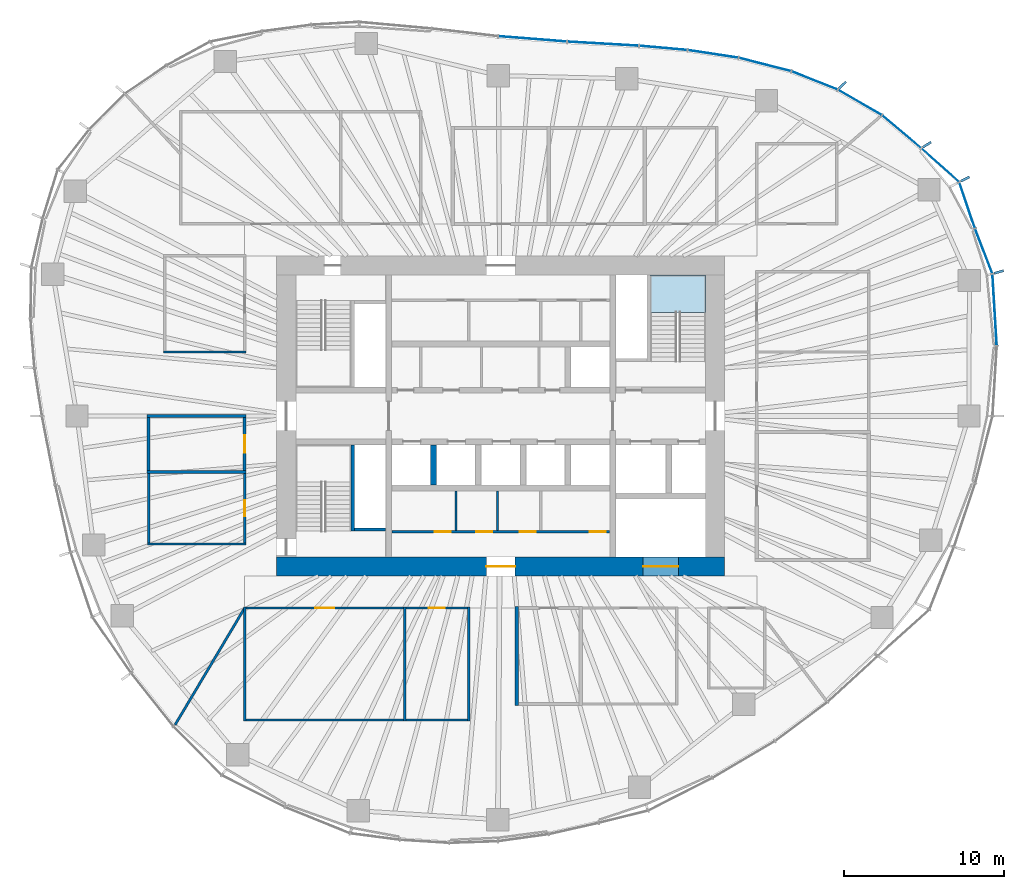
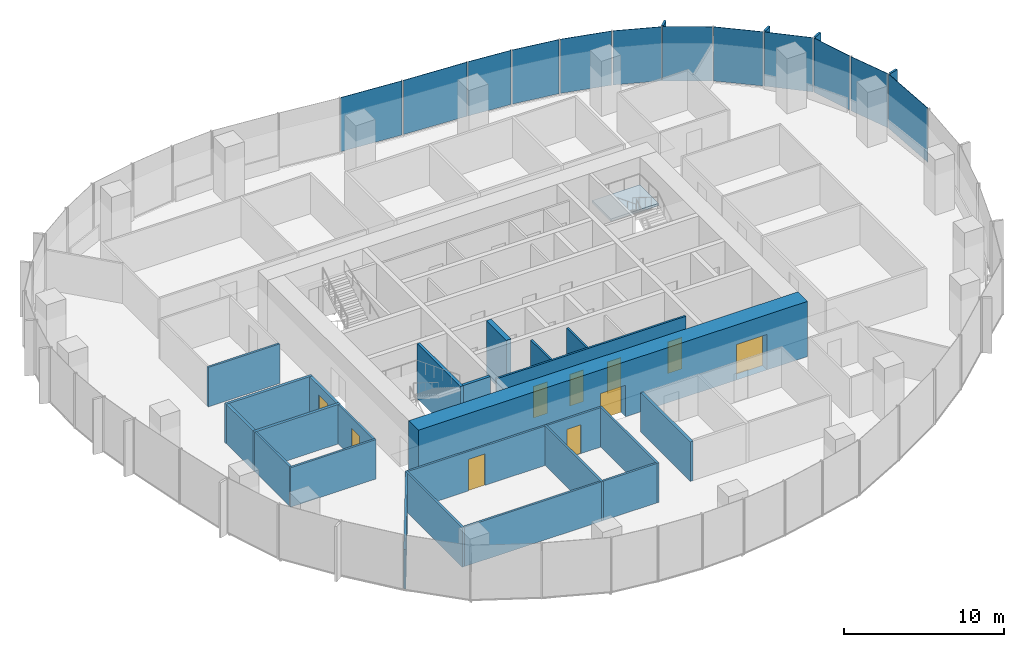
# One storey, part 8 of 18: 24 walls, 16 plates, 10 doors, 1 slab, 10 openings, 6 elements without a shape of their own.
"""IFC4 building model written with IfcOpenShell, lengths in metres."""

from ifc_helpers import new_model, si_unit, direction, frame, frame_2d, origin, origin_2d, place, context, subcontext, project, spatial, polyline, rectangle, outline, extrude, material, layer, layer_set, type_object, element, fill, aggregate, save


model = new_model("IFC4")

# Units and contexts
model_context = context("Model", 3, precision=1e-05, world=origin(), true_north=direction((0.0, 1.0)))
body_context = subcontext(model_context, "Body", "Model", "MODEL_VIEW")
ifc_project = project(units=[si_unit("LENGTHUNIT", "METRE"), si_unit("AREAUNIT", "SQUARE_METRE"), si_unit("VOLUMEUNIT", "CUBIC_METRE"), si_unit("PLANEANGLEUNIT", "RADIAN"), si_unit("MASSUNIT", "GRAM", prefix="KILO")], contexts=[model_context])

# Site, building, storey
site_placement = place(None, origin())
site = spatial("IfcSite", under=ifc_project, at=site_placement, CompositionType="ELEMENT")
building_placement = place(site_placement, origin())
building = spatial("IfcBuilding", under=site, at=building_placement, Name="Ghaith Harvest Tower", CompositionType="ELEMENT")
storey_placement = place(building_placement, frame((0.0, 0.0, 159.60009765625)))
storey = spatial("IfcBuildingStorey", under=building, at=storey_placement, Name="L34", CompositionType="ELEMENT", Elevation=159.60009765625)

# Curtain wall, plate
ifc_material_1 = material(Name="Black anodised aluminium and fritted glass", Category="aluminium")
curtain_wall_type = type_object("IfcCurtainWallType", Name="CW-L CURTAIN WALL", PredefinedType="NOTDEFINED", material=ifc_material_1)
curtain_wall_1_placement = place(storey_placement, origin())
curtain_wall_1 = element("IfcCurtainWall", 1, at=curtain_wall_1_placement, inside=storey, type_object=curtain_wall_type, Name="Curtain wall CW-L bay 01 L34", PredefinedType="NOTDEFINED")
ifc_material_2 = material(Name="Glass, dark solar-control fritted double glazed unit", Category="glass")
ifc_layer_1 = layer(ifc_material_2, 0.031982421875)
ifc_layer_set_1 = layer_set([ifc_layer_1], Name="CW-L VISION PANEL")
plate_type_1 = type_object("IfcPlateType", Name="CW-L VISION PANEL", PredefinedType="CURTAIN_PANEL", material=ifc_layer_set_1)
plate_1_placement = place(storey_placement, frame((30.863037109375, 6.63525390625, 0.079833984375), z_axis=(0.0, 0.0, 1.0), x_axis=(-0.060320650032, 0.998179051663, 0.0)))
plate_1 = element("IfcPlate", 2, at=plate_1_placement, type_object=plate_type_1, Name="CW-L glass unit 2 bay 01 L34", PredefinedType="CURTAIN_PANEL", context=body_context, shape_type="SweptSolid", body=[
    extrude(rectangle(XDim=4.419189453125, YDim=0.031982421875, at=origin_2d()), origin(), (0.0, 0.0, 1.0), 4.1201171875),
])
aggregate(curtain_wall_1, [plate_1])

# Curtain wall, plates
curtain_wall_2_placement = place(storey_placement, origin())
curtain_wall_2 = element("IfcCurtainWall", 3, at=curtain_wall_2_placement, inside=storey, type_object=curtain_wall_type, Name="Curtain wall CW-L bay 02 L34", PredefinedType="NOTDEFINED")
plate_2_placement = place(storey_placement, frame((30.180908203125, 10.29833984375, 0.079833984375), z_axis=(0.0, 0.0, 1.0), x_axis=(-0.359676824997, 0.933076943001, 0.0)))
plate_2 = element("IfcPlate", 4, at=plate_2_placement, type_object=plate_type_1, Name="CW-L glass unit 1 bay 02 L34", PredefinedType="CURTAIN_PANEL", context=body_context, shape_type="SweptSolid", body=[
    extrude(rectangle(XDim=2.95849609375, YDim=0.031982421875, at=origin_2d()), origin(), (0.0, 0.0, 1.0), 4.1201171875),
])
plate_3_placement = place(storey_placement, frame((29.142333984375, 13.163818359375, 0.079833984375), z_axis=(0.0, 0.0, 1.0), x_axis=(-0.321853304376, 0.946789549194, 0.0)))
plate_3 = element("IfcPlate", 5, at=plate_3_placement, type_object=plate_type_1, Name="CW-L glass unit 2 bay 02 L34", PredefinedType="CURTAIN_PANEL", context=body_context, shape_type="SweptSolid", body=[
    extrude(rectangle(XDim=2.978759765625, YDim=0.031982421875, at=origin_2d()), origin(), (0.0, 0.0, 1.0), 4.1201171875),
])
plate_4_placement = place(storey_placement, frame((27.46533203125, 15.668701171875, 0.079833984375), z_axis=(0.0, 0.0, 1.0), x_axis=(-0.746250544556, 0.665665174656, 0.0)))
plate_4 = element("IfcPlate", 6, at=plate_4_placement, type_object=plate_type_1, Name="CW-L glass unit 3 bay 02 L34", PredefinedType="CURTAIN_PANEL", context=body_context, shape_type="SweptSolid", body=[
    extrude(rectangle(XDim=3.094970703125, YDim=0.031982421875, at=origin_2d()), origin(), (0.0, 0.0, 1.0), 4.1201171875),
])
aggregate(curtain_wall_2, [plate_2, plate_3, plate_4])

curtain_wall_3_placement = place(storey_placement, origin())
curtain_wall_3 = element("IfcCurtainWall", 7, at=curtain_wall_3_placement, inside=storey, type_object=curtain_wall_type, Name="Curtain wall CW-L bay 03 L34", PredefinedType="NOTDEFINED")
plate_5_placement = place(storey_placement, frame((25.05126953125, 17.7587890625, 0.079833984375), z_axis=(0.0, 0.0, 1.0), x_axis=(-0.765473064857, 0.643467937801, 0.0)))
plate_5 = element("IfcPlate", 8, at=plate_5_placement, type_object=plate_type_1, Name="CW-L glass unit 1 bay 03 L34", PredefinedType="CURTAIN_PANEL", context=body_context, shape_type="SweptSolid", body=[
    extrude(rectangle(XDim=3.13232421875, YDim=0.031982421875, at=origin_2d()), origin(), (0.0, 0.0, 1.0), 4.1201171875),
])
plate_6_placement = place(storey_placement, frame((22.444091796875, 19.590576171875, 0.079833984375), z_axis=(0.0, 0.0, 1.0), x_axis=(-0.865232087993, 0.501371552751, 0.0)))
plate_6 = element("IfcPlate", 9, at=plate_6_placement, type_object=plate_type_1, Name="CW-L glass unit 2 bay 03 L34", PredefinedType="CURTAIN_PANEL", context=body_context, shape_type="SweptSolid", body=[
    extrude(rectangle(XDim=3.10498046875, YDim=0.031982421875, at=origin_2d()), origin(), (0.0, 0.0, 1.0), 4.1201171875),
])
plate_7_placement = place(storey_placement, frame((19.6142578125, 20.963623046875, 0.079833984375), z_axis=(0.0, 0.0, 1.0), x_axis=(-0.929876534019, 0.367871759558, 0.0)))
plate_7 = element("IfcPlate", 10, at=plate_7_placement, type_object=plate_type_1, Name="CW-L glass unit 3 bay 03 L34", PredefinedType="CURTAIN_PANEL", context=body_context, shape_type="SweptSolid", body=[
    extrude(rectangle(XDim=3.042724609375, YDim=0.031982421875, at=origin_2d()), origin(), (0.0, 0.0, 1.0), 4.1201171875),
])
aggregate(curtain_wall_3, [plate_5, plate_6, plate_7])

curtain_wall_4_placement = place(storey_placement, origin())
curtain_wall_4 = element("IfcCurtainWall", 11, at=curtain_wall_4_placement, inside=storey, type_object=curtain_wall_type, Name="Curtain wall CW-L bay 04 L34", PredefinedType="NOTDEFINED")
plate_8_placement = place(storey_placement, frame((16.513427734375, 21.958740234375, 0.079833984375), z_axis=(0.0, 0.0, 1.0), x_axis=(-0.96893110987, 0.247330758955, 0.0)))
plate_8 = element("IfcPlate", 12, at=plate_8_placement, type_object=plate_type_1, Name="CW-L glass unit 1 bay 04 L34", PredefinedType="CURTAIN_PANEL", context=body_context, shape_type="SweptSolid", body=[
    extrude(rectangle(XDim=3.3232421875, YDim=0.031982421875, at=origin_2d()), origin(), (0.0, 0.0, 1.0), 4.1201171875),
])
plate_9_placement = place(storey_placement, frame((13.2685546875, 22.621826171875, 0.079833984375), z_axis=(0.0, 0.0, 1.0), x_axis=(-0.988678736369, 0.150047846542, 0.0)))
plate_9 = element("IfcPlate", 13, at=plate_9_placement, type_object=plate_type_1, Name="CW-L glass unit 2 bay 04 L34", PredefinedType="CURTAIN_PANEL", context=body_context, shape_type="SweptSolid", body=[
    extrude(rectangle(XDim=3.14892578125, YDim=0.031982421875, at=origin_2d()), origin(), (0.0, 0.0, 1.0), 4.1201171875),
])
plate_10_placement = place(storey_placement, frame((10.15966796875, 22.9970703125, 0.079833984375), z_axis=(0.0, 0.0, 1.0), x_axis=(-0.996166190972, 0.087480969151, 0.0)))
plate_10 = element("IfcPlate", 14, at=plate_10_placement, type_object=plate_type_1, Name="CW-L glass unit 3 bay 04 L34", PredefinedType="CURTAIN_PANEL", context=body_context, shape_type="SweptSolid", body=[
    extrude(rectangle(XDim=2.957275390625, YDim=0.031982421875, at=origin_2d()), origin(), (0.0, 0.0, 1.0), 4.1201171875),
])
aggregate(curtain_wall_4, [plate_8, plate_9, plate_10])

curtain_wall_5_placement = place(storey_placement, origin())
curtain_wall_5 = element("IfcCurtainWall", 15, at=curtain_wall_5_placement, inside=storey, type_object=curtain_wall_type, Name="Curtain wall CW-L bay 05 L34", PredefinedType="NOTDEFINED")
plate_11_placement = place(storey_placement, frame((6.396728515625, 23.260498046875, 0.079833984375), z_axis=(0.0, 0.0, 1.0), x_axis=(-0.998320798751, 0.05792739233, 0.0)))
plate_11 = element("IfcPlate", 16, at=plate_11_placement, type_object=plate_type_1, Name="CW-L glass unit 1 bay 05 L34", PredefinedType="CURTAIN_PANEL", context=body_context, shape_type="SweptSolid", body=[
    extrude(rectangle(XDim=4.427734375, YDim=0.031982421875, at=origin_2d()), origin(), (0.0, 0.0, 1.0), 4.1201171875),
])
plate_12_placement = place(storey_placement, frame((1.9921875, 23.560302734375, 0.079833984375), z_axis=(0.0, 0.0, 1.0), x_axis=(-0.996925121312, 0.078360082291, 0.0)))
plate_12 = element("IfcPlate", 17, at=plate_12_placement, type_object=plate_type_1, Name="CW-L glass unit 2 bay 05 L34", PredefinedType="CURTAIN_PANEL", context=body_context, shape_type="SweptSolid", body=[
    extrude(rectangle(XDim=4.242431640625, YDim=0.031982421875, at=origin_2d()), origin(), (0.0, 0.0, 1.0), 4.1201171875),
])
aggregate(curtain_wall_5, [plate_11, plate_12])

# Stair, slab
ifc_material_3 = material(Name="Concrete C40/50, precast", Category="concrete")
stair_type = type_object("IfcStairType", Name="CORE STAIR 24R", PredefinedType="HALF_TURN_STAIR", material=ifc_material_3)
stair_placement = place(storey_placement, origin())
stair = element("IfcStair", 18, at=stair_placement, inside=storey, type_object=stair_type, Name="Stair ST2 L34", PredefinedType="HALF_TURN_STAIR")
ifc_material_4 = material(Name="Concrete C40/50, precast", Category="concrete")
ifc_layer_2 = layer(ifc_material_4, 0.179931640625)
ifc_layer_set_2 = layer_set([ifc_layer_2], Name="STAIR LANDING 180")
slab_type = type_object("IfcSlabType", Name="STAIR LANDING 180", PredefinedType="LANDING", material=ifc_layer_set_2)
slab_placement = place(storey_placement, frame((0.0, 0.0, 1.919921875)))
slab = element("IfcSlab", 19, at=slab_placement, type_object=slab_type, Name="ST2 landing 1", PredefinedType="LANDING", context=body_context, shape_type="SweptSolid", body=[
    extrude(outline(polyline([(12.800048828125, 6.4599609375), (12.800048828125, 8.800048828125), (9.35009765625, 8.800048828125), (9.35009765625, 6.4599609375), (12.800048828125, 6.4599609375)])), origin(), (0.0, 0.0, 1.0), 0.179931640625),
])
aggregate(stair, [slab])

# Plates
ifc_material_5 = material(Name="Glassfibre-reinforced concrete", Category="concrete")
ifc_layer_3 = layer(ifc_material_5, 0.14990234375)
ifc_layer_set_3 = layer_set([ifc_layer_3], Name="SUN-BREAKER FIN 600x150")
plate_type_2 = type_object("IfcPlateType", Name="SUN-BREAKER FIN 600x150", PredefinedType="USERDEFINED", material=ifc_layer_set_3)
for number, where, z_axis, x_axis, name in (
    (20, (31.130859375, 8.99755859375, 0.0), (0.0, 0.0, 1.0), (0.960680349985, 0.277656739792, 0.0), "Sun-breaker fin CW-L 1 bay 02 L34"),
    (21, (29.024169921875, 14.802734375, 0.0), (0.0, 0.0, 1.0), (0.890830752257, 0.454335306611, 0.0), "Sun-breaker fin CW-L 3 bay 02 L34"),
    (22, (26.635009765625, 16.95068359375, 0.0), (0.0, 0.0, 1.0), (0.843643971464, 0.536903016766, 0.0), "Sun-breaker fin CW-L 1 bay 03 L34"),
    (23, (21.367919921875, 20.68115234375, 0.0), (0.0, 0.0, 1.0), (0.7185589652, 0.69546604053, 0.0), "Sun-breaker fin CW-L 3 bay 03 L34"),
):
    element("IfcPlate", number, at=place(storey_placement, frame(where, z_axis=z_axis, x_axis=x_axis)), inside=storey, type_object=plate_type_2, Name=name, ObjectType="SUN-BREAKER FIN", PredefinedType="USERDEFINED", context=body_context, shape_type="SweptSolid", body=[
        extrude(rectangle(XDim=0.60009765625, YDim=0.14990234375, at=origin_2d()), origin(), (0.0, 0.0, 1.0), 4.199951171875),
    ])

# Walls
ifc_material_6 = material(Name="Twin-stud gypsum board, acoustic", Category="gypsum")
ifc_layer_4 = layer(ifc_material_6, 0.199951171875)
ifc_layer_set_4 = layer_set([ifc_layer_4], Name="ACOUSTIC PARTITION 200")
wall_type_1 = type_object("IfcWallType", Name="ACOUSTIC PARTITION 200", PredefinedType="PARTITIONING", material=ifc_layer_set_4)
for number, where, z_axis, x_axis, name in (
    (24, (1.0, -11.89990234375, 0.0), (0.0, 0.0, 1.0), (0.0, -1.0, 0.0), "Partition L34 row S2 cross wall 1"),
    (25, (-15.89990234375, -3.5, 0.0), (0.0, 0.0, 1.0), (-1.0, 0.0, 0.0), "Partition L34 row W6 cross wall 2"),
    (26, (-15.89990234375, 0.0, 0.0), (0.0, 0.0, 1.0), (-1.0, 0.0, 0.0), "Partition L34 row W6 cross wall 3"),
):
    element("IfcWall", number, at=place(storey_placement, frame(where, z_axis=z_axis, x_axis=x_axis)), inside=storey, type_object=wall_type_1, Name=name, PredefinedType="PARTITIONING", context=body_context, shape_type="SweptSolid", body=[
        extrude(rectangle(XDim=6.2001953125, YDim=0.199951171875, at=frame_2d((3.10009765625, 0.0))), origin(), (0.0, 0.0, 1.0), 3.0),
    ])

# Wall, opening, door
wall_1_placement = place(storey_placement, frame((-16.0, -3.39990234375, 0.0), z_axis=(0.0, 0.0, 1.0), x_axis=(0.0, 1.0, 0.0)))
wall_1 = element("IfcWall", 27, at=wall_1_placement, inside=storey, type_object=wall_type_1, Name="Partition L34-14", PredefinedType="PARTITIONING", context=body_context, shape_type="SweptSolid", body=[
    extrude(rectangle(XDim=3.2998046875, YDim=0.199951171875, at=frame_2d((1.64990234375, 0.0))), origin(), (0.0, 0.0, 1.0), 3.0),
])
opening_1_placement = place(wall_1_placement, frame((1.10009765625, 0.0, 0.0)))
opening_1 = element("IfcOpeningElement", 28, at=opening_1_placement, cuts=wall_1, Name="Opening 34-042", PredefinedType="OPENING", context=body_context, shape_type="SweptSolid", body=[
    extrude(rectangle(XDim=1.10009765625, YDim=2.300048828125, at=frame_2d((0.550048828125, 1.14990234375))), frame((0.0, 0.10986328125, 0.0), z_axis=(0.0, -1.0, 0.0), x_axis=(1.0, 0.0, 0.0)), (0.0, 0.0, 1.0), 0.219970703125),
])
ifc_material_7 = material(Name="Timber-framed glazed door", Category="wood")
door_type_1 = type_object("IfcDoorType", Name="D12 GLAZED OFFICE 1100x2300", OperationType="SINGLE_SWING_LEFT", PredefinedType="DOOR", material=ifc_material_7)
door_1_placement = place(opening_1_placement, origin())
door_1 = element("IfcDoor", 29, at=door_1_placement, inside=storey, type_object=door_type_1, Name="Quiet room door", OperationType="SINGLE_SWING_LEFT", OverallHeight=2.300048828125, OverallWidth=1.10009765625, PredefinedType="DOOR", context=body_context, shape_type="SweptSolid", body=[
    extrude(rectangle(XDim=1.10009765625, YDim=2.300048828125, at=frame_2d((0.550048828125, 1.14990234375))), frame((0.0, 0.02490234375, 0.0), z_axis=(0.0, -1.0, 0.0), x_axis=(1.0, 0.0, 0.0)), (0.0, 0.0, 1.0), 0.050048828125),
])
fill(opening_1, door_1)

# Wall
wall_2_placement = place(storey_placement, frame((-22.0, -3.39990234375, 0.0), z_axis=(0.0, 0.0, 1.0), x_axis=(0.0, 1.0, 0.0)))
element("IfcWall", 30, at=wall_2_placement, inside=storey, type_object=wall_type_1, Name="Partition L34-14", PredefinedType="PARTITIONING", context=body_context, shape_type="SweptSolid", body=[
    extrude(rectangle(XDim=3.2998046875, YDim=0.199951171875, at=frame_2d((1.64990234375, 0.0))), origin(), (0.0, 0.0, 1.0), 3.0),
])

# Wall, openings, doors
ifc_material_8 = material(Name="Concrete blockwork, fair-faced", Category="masonry")
ifc_layer_5 = layer(ifc_material_8, 0.139892578125)
ifc_layer_set_5 = layer_set([ifc_layer_5], Name="CORE PARTITION 140")
wall_type_2 = type_object("IfcWallType", Name="CORE PARTITION 140", PredefinedType="PARTITIONING", material=ifc_layer_set_5)
wall_3_placement = place(storey_placement, frame((-6.800048828125, -7.22998046875, 0.0), z_axis=(0.0, 0.0, 1.0), x_axis=(1.0, 0.0, 0.0)))
wall_3 = element("IfcWall", 31, at=wall_3_placement, inside=storey, type_object=wall_type_2, Name="Core partition L34", PredefinedType="PARTITIONING", context=body_context, shape_type="SweptSolid", body=[
    extrude(rectangle(XDim=13.60009765625, YDim=0.139892578125, at=frame_2d((6.800048828125, 0.0))), origin(), (0.0, 0.0, 1.0), 3.949951171875),
])
opening_2_placement = place(wall_3_placement, frame((2.679931640625, 0.0, 0.0)))
opening_2 = element("IfcOpeningElement", 32, at=opening_2_placement, cuts=wall_3, Name="Opening 34-012", PredefinedType="OPENING", context=body_context, shape_type="SweptSolid", body=[
    extrude(rectangle(XDim=1.0, YDim=2.39990234375, at=frame_2d((0.5, 1.199951171875))), frame((0.0, 0.080078125, 0.0), z_axis=(0.0, -1.0, 0.0), x_axis=(1.0, 0.0, 0.0)), (0.0, 0.0, 1.0), 0.159912109375),
])
opening_3_placement = place(wall_3_placement, frame((5.280029296875, 0.0, 0.0)))
opening_3 = element("IfcOpeningElement", 33, at=opening_3_placement, cuts=wall_3, Name="Opening 34-013", PredefinedType="OPENING", context=body_context, shape_type="SweptSolid", body=[
    extrude(rectangle(XDim=1.0, YDim=2.39990234375, at=frame_2d((0.5, 1.199951171875))), frame((0.0, 0.080078125, 0.0), z_axis=(0.0, -1.0, 0.0), x_axis=(1.0, 0.0, 0.0)), (0.0, 0.0, 1.0), 0.159912109375),
])
opening_4_placement = place(wall_3_placement, frame((7.97998046875, 0.0, 0.0)))
opening_4 = element("IfcOpeningElement", 34, at=opening_4_placement, cuts=wall_3, Name="Opening 34-014", PredefinedType="OPENING", context=body_context, shape_type="SweptSolid", body=[
    extrude(rectangle(XDim=1.0, YDim=2.39990234375, at=frame_2d((0.5, 1.199951171875))), frame((0.0, 0.080078125, 0.0), z_axis=(0.0, -1.0, 0.0), x_axis=(1.0, 0.0, 0.0)), (0.0, 0.0, 1.0), 0.159912109375),
])
opening_5_placement = place(wall_3_placement, frame((12.35009765625, 0.0, 0.0)))
opening_5 = element("IfcOpeningElement", 35, at=opening_5_placement, cuts=wall_3, Name="Opening 34-015", PredefinedType="OPENING", context=body_context, shape_type="SweptSolid", body=[
    extrude(rectangle(XDim=1.0, YDim=2.39990234375, at=frame_2d((0.5, 1.199951171875))), frame((0.0, 0.080078125, 0.0), z_axis=(0.0, -1.0, 0.0), x_axis=(1.0, 0.0, 0.0)), (0.0, 0.0, 1.0), 0.159912109375),
])
ifc_material_9 = material(Name="Steel fire door", Category="steel")
door_type_2 = type_object("IfcDoorType", Name="D3 FD90 1000x2400", OperationType="SINGLE_SWING_LEFT", PredefinedType="DOOR", material=ifc_material_9)
door_2_placement = place(opening_2_placement, origin())
door_2 = element("IfcDoor", 36, at=door_2_placement, inside=storey, type_object=door_type_2, Name="Electrical room door", OperationType="SINGLE_SWING_LEFT", OverallHeight=2.39990234375, OverallWidth=1.0, PredefinedType="DOOR", context=body_context, shape_type="SweptSolid", body=[
    extrude(rectangle(XDim=1.0, YDim=2.39990234375, at=frame_2d((0.5, 1.199951171875))), frame((0.0, 0.02490234375, 0.0), z_axis=(0.0, -1.0, 0.0), x_axis=(1.0, 0.0, 0.0)), (0.0, 0.0, 1.0), 0.050048828125),
])
fill(opening_2, door_2)
door_3_placement = place(opening_3_placement, origin())
door_3 = element("IfcDoor", 37, at=door_3_placement, inside=storey, type_object=door_type_2, Name="Communications equipment room door", OperationType="SINGLE_SWING_LEFT", OverallHeight=2.39990234375, OverallWidth=1.0, PredefinedType="DOOR", context=body_context, shape_type="SweptSolid", body=[
    extrude(rectangle(XDim=1.0, YDim=2.39990234375, at=frame_2d((0.5, 1.199951171875))), frame((0.0, 0.02490234375, 0.0), z_axis=(0.0, -1.0, 0.0), x_axis=(1.0, 0.0, 0.0)), (0.0, 0.0, 1.0), 0.050048828125),
])
fill(opening_3, door_3)
door_4_placement = place(opening_4_placement, origin())
door_4 = element("IfcDoor", 38, at=door_4_placement, inside=storey, type_object=door_type_2, Name="Staff WC door", OperationType="SINGLE_SWING_RIGHT", OverallHeight=2.39990234375, OverallWidth=1.0, PredefinedType="DOOR", context=body_context, shape_type="SweptSolid", body=[
    extrude(rectangle(XDim=1.0, YDim=2.39990234375, at=frame_2d((0.5, 1.199951171875))), frame((0.0, 0.02490234375, 0.0), z_axis=(0.0, -1.0, 0.0), x_axis=(1.0, 0.0, 0.0)), (0.0, 0.0, 1.0), 0.050048828125),
])
fill(opening_4, door_4)
door_5_placement = place(opening_5_placement, origin())
door_5 = element("IfcDoor", 39, at=door_5_placement, inside=storey, type_object=door_type_2, Name="Riser room door", OperationType="SINGLE_SWING_RIGHT", OverallHeight=2.39990234375, OverallWidth=1.0, PredefinedType="DOOR", context=body_context, shape_type="SweptSolid", body=[
    extrude(rectangle(XDim=1.0, YDim=2.39990234375, at=frame_2d((0.5, 1.199951171875))), frame((0.0, 0.02490234375, 0.0), z_axis=(0.0, -1.0, 0.0), x_axis=(1.0, 0.0, 0.0)), (0.0, 0.0, 1.0), 0.050048828125),
])
fill(opening_5, door_5)

# Walls
for number, where, z_axis, x_axis, name in (
    (40, (-2.800048828125, -4.699951171875, 0.0), (0.0, 0.0, 1.0), (0.0, -1.0, 0.0), "Core partition L34"),
    (41, (-0.199951171875, -4.699951171875, 0.0), (0.0, 0.0, 1.0), (0.0, -1.0, 0.0), "Core partition L34"),
):
    element("IfcWall", number, at=place(storey_placement, frame(where, z_axis=z_axis, x_axis=x_axis)), inside=storey, type_object=wall_type_2, Name=name, PredefinedType="PARTITIONING", context=body_context, shape_type="SweptSolid", body=[
        extrude(rectangle(XDim=2.4599609375, YDim=0.139892578125, at=frame_2d((1.22998046875, 0.0))), origin(), (0.0, 0.0, 1.0), 3.949951171875),
    ])

# Wall, openings, doors
ifc_material_10 = material(Name="Concrete C60/75", Category="concrete")
ifc_layer_6 = layer(ifc_material_10, 1.199951171875)
ifc_layer_set_6 = layer_set([ifc_layer_6], Name="CORE WALL CW1200 C60")
wall_type_3 = type_object("IfcWallType", Name="CORE WALL CW1200 C60", PredefinedType="SHEAR", material=ifc_layer_set_6)
wall_4_placement = place(storey_placement, frame((-14.0, -9.39990234375, 0.0), z_axis=(0.0, 0.0, 1.0), x_axis=(1.0, 0.0, 0.0)))
wall_4 = element("IfcWall", 42, at=wall_4_placement, inside=storey, type_object=wall_type_3, Name="Core wall S L34", PredefinedType="SHEAR", context=body_context, shape_type="SweptSolid", body=[
    extrude(rectangle(XDim=28.0, YDim=1.199951171875, at=frame_2d((14.0, 0.0))), origin(), (0.0, 0.0, 1.0), 4.199951171875),
])
opening_6_placement = place(wall_4_placement, frame((13.10009765625, 0.0, 0.0)))
opening_6 = element("IfcOpeningElement", 43, at=opening_6_placement, cuts=wall_4, Name="Opening 34-021", PredefinedType="OPENING", context=body_context, shape_type="SweptSolid", body=[
    extrude(rectangle(XDim=1.800048828125, YDim=2.39990234375, at=frame_2d((0.89990234375, 1.199951171875))), frame((0.0, 0.60986328125, 0.0), z_axis=(0.0, -1.0, 0.0), x_axis=(1.0, 0.0, 0.0)), (0.0, 0.0, 1.0), 1.219970703125),
])
opening_7_placement = place(wall_4_placement, frame((22.89990234375, 0.0, 0.0)))
opening_7 = element("IfcOpeningElement", 44, at=opening_7_placement, cuts=wall_4, Name="Opening 34-028", PredefinedType="OPENING", context=body_context, shape_type="SweptSolid", body=[
    extrude(rectangle(XDim=2.199951171875, YDim=2.699951171875, at=frame_2d((1.10009765625, 1.35009765625))), frame((0.0, 0.60986328125, 0.0), z_axis=(0.0, -1.0, 0.0), x_axis=(1.0, 0.0, 0.0)), (0.0, 0.0, 1.0), 1.219970703125),
])
ifc_material_11 = material(Name="Steel fire door", Category="steel")
door_type_3 = type_object("IfcDoorType", Name="D4 FD90 PAIR 1800x2400", OperationType="DOUBLE_DOOR_SINGLE_SWING", PredefinedType="DOOR", material=ifc_material_11)
door_6_placement = place(opening_6_placement, origin())
door_6 = element("IfcDoor", 45, at=door_6_placement, inside=storey, type_object=door_type_3, Name="Core service corridor doors", OperationType="DOUBLE_DOOR_SINGLE_SWING", OverallHeight=2.39990234375, OverallWidth=1.800048828125, PredefinedType="DOOR", context=body_context, shape_type="SweptSolid", body=[
    extrude(rectangle(XDim=1.800048828125, YDim=2.39990234375, at=frame_2d((0.89990234375, 1.199951171875))), frame((0.0, 0.02490234375, 0.0), z_axis=(0.0, -1.0, 0.0), x_axis=(1.0, 0.0, 0.0)), (0.0, 0.0, 1.0), 0.050048828125),
])
fill(opening_6, door_6)
ifc_material_12 = material(Name="Steel fire door", Category="steel")
door_type_4 = type_object("IfcDoorType", Name="LD3 LANDING 2200x2700", OperationType="DOUBLE_DOOR_SLIDING", PredefinedType="DOOR", material=ifc_material_12)
door_7_placement = place(opening_7_placement, origin())
door_7 = element("IfcDoor", 46, at=door_7_placement, inside=storey, type_object=door_type_4, Name="Landing door, goods lift GL1", OperationType="DOUBLE_DOOR_SLIDING", OverallHeight=2.699951171875, OverallWidth=2.199951171875, PredefinedType="DOOR", context=body_context, shape_type="SweptSolid", body=[
    extrude(rectangle(XDim=2.199951171875, YDim=2.699951171875, at=frame_2d((1.10009765625, 1.35009765625))), frame((0.0, 0.02490234375, 0.0), z_axis=(0.0, -1.0, 0.0), x_axis=(1.0, 0.0, 0.0)), (0.0, 0.0, 1.0), 0.050048828125),
])
fill(opening_7, door_7)

# Walls
ifc_material_13 = material(Name="Gypsum board on steel studs", Category="steel")
ifc_layer_7 = layer(ifc_material_13, 0.14990234375)
ifc_layer_set_7 = layer_set([ifc_layer_7], Name="PARTITION 150")
wall_type_4 = type_object("IfcWallType", Name="PARTITION 150", PredefinedType="PARTITIONING", material=ifc_layer_set_7)
for number, where, z_axis, x_axis, name in (
    (47, (-16.0, -11.925048828125, 0.0), (0.0, 0.0, 1.0), (0.0, -1.0, 0.0), "Partition L34 row S1 cross wall 1"),
    (48, (-6.0, -11.925048828125, 0.0), (0.0, 0.0, 1.0), (0.0, -1.0, 0.0), "Partition L34 row S1 cross wall 2"),
    (49, (-2.0, -11.925048828125, 0.0), (0.0, 0.0, 1.0), (0.0, -1.0, 0.0), "Partition L34 row S1 cross wall 3"),
):
    element("IfcWall", number, at=place(storey_placement, frame(where, z_axis=z_axis, x_axis=x_axis)), inside=storey, type_object=wall_type_4, Name=name, PredefinedType="PARTITIONING", context=body_context, shape_type="SweptSolid", body=[
        extrude(rectangle(XDim=7.14990234375, YDim=0.14990234375, at=frame_2d((3.574951171875, 0.0))), origin(), (0.0, 0.0, 1.0), 3.0),
    ])

# Wall, opening, door
wall_5_placement = place(storey_placement, frame((-15.925048828125, -12.0, 0.0), z_axis=(0.0, 0.0, 1.0), x_axis=(1.0, 0.0, 0.0)))
wall_5 = element("IfcWall", 50, at=wall_5_placement, inside=storey, type_object=wall_type_4, Name="Partition L34-01", PredefinedType="PARTITIONING", context=body_context, shape_type="SweptSolid", body=[
    extrude(rectangle(XDim=9.85009765625, YDim=0.14990234375, at=frame_2d((4.925048828125, 0.0))), origin(), (0.0, 0.0, 1.0), 3.0),
])
opening_8_placement = place(wall_5_placement, frame((4.324951171875, 0.0, 0.0)))
opening_8 = element("IfcOpeningElement", 51, at=opening_8_placement, cuts=wall_5, Name="Opening 34-029", PredefinedType="OPENING", context=body_context, shape_type="SweptSolid", body=[
    extrude(rectangle(XDim=1.199951171875, YDim=2.39990234375, at=frame_2d((0.60009765625, 1.199951171875))), frame((0.0, 0.0849609375, 0.0), z_axis=(0.0, -1.0, 0.0), x_axis=(1.0, 0.0, 0.0)), (0.0, 0.0, 1.0), 0.169921875),
])
ifc_material_14 = material(Name="Timber door", Category="wood")
door_type_5 = type_object("IfcDoorType", Name="D11 GLAZED 1200x2400", OperationType="SINGLE_SWING_LEFT", PredefinedType="DOOR", material=ifc_material_14)
door_8_placement = place(opening_8_placement, origin())
door_8 = element("IfcDoor", 52, at=door_8_placement, inside=storey, type_object=door_type_5, Name="Design studio door", OperationType="SINGLE_SWING_LEFT", OverallHeight=2.39990234375, OverallWidth=1.199951171875, PredefinedType="DOOR", context=body_context, shape_type="SweptSolid", body=[
    extrude(rectangle(XDim=1.199951171875, YDim=2.39990234375, at=frame_2d((0.60009765625, 1.199951171875))), frame((0.0, 0.02490234375, 0.0), z_axis=(0.0, -1.0, 0.0), x_axis=(1.0, 0.0, 0.0)), (0.0, 0.0, 1.0), 0.050048828125),
])
fill(opening_8, door_8)

# Wall
wall_6_placement = place(storey_placement, frame((-15.925048828125, -19.0, 0.0), z_axis=(0.0, 0.0, 1.0), x_axis=(1.0, 0.0, 0.0)))
element("IfcWall", 53, at=wall_6_placement, inside=storey, type_object=wall_type_4, Name="Partition L34-01", PredefinedType="PARTITIONING", context=body_context, shape_type="SweptSolid", body=[
    extrude(rectangle(XDim=9.85009765625, YDim=0.14990234375, at=frame_2d((4.925048828125, 0.0))), origin(), (0.0, 0.0, 1.0), 3.0),
])

# Wall, opening, door
wall_7_placement = place(storey_placement, frame((-5.925048828125, -12.0, 0.0), z_axis=(0.0, 0.0, 1.0), x_axis=(1.0, 0.0, 0.0)))
wall_7 = element("IfcWall", 54, at=wall_7_placement, inside=storey, type_object=wall_type_4, Name="Partition L34-02", PredefinedType="PARTITIONING", context=body_context, shape_type="SweptSolid", body=[
    extrude(rectangle(XDim=3.85009765625, YDim=0.14990234375, at=frame_2d((1.925048828125, 0.0))), origin(), (0.0, 0.0, 1.0), 3.0),
])
opening_9_placement = place(wall_7_placement, frame((1.425048828125, 0.0, 0.0)))
opening_9 = element("IfcOpeningElement", 55, at=opening_9_placement, cuts=wall_7, Name="Opening 34-030", PredefinedType="OPENING", context=body_context, shape_type="SweptSolid", body=[
    extrude(rectangle(XDim=1.0, YDim=2.199951171875, at=frame_2d((0.5, 1.10009765625))), frame((0.0, 0.0849609375, 0.0), z_axis=(0.0, -1.0, 0.0), x_axis=(1.0, 0.0, 0.0)), (0.0, 0.0, 1.0), 0.169921875),
])
ifc_material_15 = material(Name="Timber door", Category="wood")
door_type_6 = type_object("IfcDoorType", Name="D1 SINGLE 1000x2200", OperationType="SINGLE_SWING_LEFT", PredefinedType="DOOR", material=ifc_material_15)
door_9_placement = place(opening_9_placement, origin())
door_9 = element("IfcDoor", 56, at=door_9_placement, inside=storey, type_object=door_type_6, Name="Store door", OperationType="SINGLE_SWING_LEFT", OverallHeight=2.199951171875, OverallWidth=1.0, PredefinedType="DOOR", context=body_context, shape_type="SweptSolid", body=[
    extrude(rectangle(XDim=1.0, YDim=2.199951171875, at=frame_2d((0.5, 1.10009765625))), frame((0.0, 0.02490234375, 0.0), z_axis=(0.0, -1.0, 0.0), x_axis=(1.0, 0.0, 0.0)), (0.0, 0.0, 1.0), 0.050048828125),
])
fill(opening_9, door_9)

# Walls
wall_8_placement = place(storey_placement, frame((-5.925048828125, -19.0, 0.0), z_axis=(0.0, 0.0, 1.0), x_axis=(1.0, 0.0, 0.0)))
element("IfcWall", 57, at=wall_8_placement, inside=storey, type_object=wall_type_4, Name="Partition L34-02", PredefinedType="PARTITIONING", context=body_context, shape_type="SweptSolid", body=[
    extrude(rectangle(XDim=3.85009765625, YDim=0.14990234375, at=frame_2d((1.925048828125, 0.0))), origin(), (0.0, 0.0, 1.0), 3.0),
])
wall_9_placement = place(storey_placement, frame((-15.925048828125, -8.0, 0.0), z_axis=(0.0, 0.0, 1.0), x_axis=(-1.0, 0.0, 0.0)))
element("IfcWall", 58, at=wall_9_placement, inside=storey, type_object=wall_type_4, Name="Partition L34 row W6 cross wall 1", PredefinedType="PARTITIONING", context=body_context, shape_type="SweptSolid", body=[
    extrude(rectangle(XDim=6.14990234375, YDim=0.14990234375, at=frame_2d((3.074951171875, 0.0))), origin(), (0.0, 0.0, 1.0), 3.0),
])

# Wall, opening, door
wall_10_placement = place(storey_placement, frame((-16.0, -7.925048828125, 0.0), z_axis=(0.0, 0.0, 1.0), x_axis=(0.0, 1.0, 0.0)))
wall_10 = element("IfcWall", 59, at=wall_10_placement, inside=storey, type_object=wall_type_4, Name="Partition L34-13", PredefinedType="PARTITIONING", context=body_context, shape_type="SweptSolid", body=[
    extrude(rectangle(XDim=4.324951171875, YDim=0.14990234375, at=frame_2d((2.16259765625, 0.0))), origin(), (0.0, 0.0, 1.0), 3.0),
])
opening_10_placement = place(wall_10_placement, frame((1.66259765625, 0.0, 0.0)))
opening_10 = element("IfcOpeningElement", 60, at=opening_10_placement, cuts=wall_10, Name="Opening 34-041", PredefinedType="OPENING", context=body_context, shape_type="SweptSolid", body=[
    extrude(rectangle(XDim=1.0, YDim=2.199951171875, at=frame_2d((0.5, 1.10009765625))), frame((0.0, 0.0849609375, 0.0), z_axis=(0.0, -1.0, 0.0), x_axis=(1.0, 0.0, 0.0)), (0.0, 0.0, 1.0), 0.169921875),
])
door_10_placement = place(opening_10_placement, origin())
door_10 = element("IfcDoor", 61, at=door_10_placement, inside=storey, type_object=door_type_6, Name="Store door", OperationType="SINGLE_SWING_LEFT", OverallHeight=2.199951171875, OverallWidth=1.0, PredefinedType="DOOR", context=body_context, shape_type="SweptSolid", body=[
    extrude(rectangle(XDim=1.0, YDim=2.199951171875, at=frame_2d((0.5, 1.10009765625))), frame((0.0, 0.02490234375, 0.0), z_axis=(0.0, -1.0, 0.0), x_axis=(1.0, 0.0, 0.0)), (0.0, 0.0, 1.0), 0.050048828125),
])
fill(opening_10, door_10)

# Walls
wall_11_placement = place(storey_placement, frame((-22.0, -7.925048828125, 0.0), z_axis=(0.0, 0.0, 1.0), x_axis=(0.0, 1.0, 0.0)))
element("IfcWall", 62, at=wall_11_placement, inside=storey, type_object=wall_type_4, Name="Partition L34-13", PredefinedType="PARTITIONING", context=body_context, shape_type="SweptSolid", body=[
    extrude(rectangle(XDim=4.324951171875, YDim=0.14990234375, at=frame_2d((2.16259765625, 0.0))), origin(), (0.0, 0.0, 1.0), 3.0),
])
wall_12_placement = place(storey_placement, frame((-15.925048828125, 4.0, 0.0), z_axis=(0.0, 0.0, 1.0), x_axis=(-1.0, 0.0, 0.0)))
element("IfcWall", 63, at=wall_12_placement, inside=storey, type_object=wall_type_4, Name="Partition L34 row W9 cross wall 1", PredefinedType="PARTITIONING", context=body_context, shape_type="SweptSolid", body=[
    extrude(rectangle(XDim=5.14990234375, YDim=0.14990234375, at=frame_2d((2.574951171875, 0.0))), origin(), (0.0, 0.0, 1.0), 3.0),
])
wall_13_placement = place(storey_placement, frame((-16.02001953125, -12.03369140625, 0.0), z_axis=(0.0, 0.0, 1.0), x_axis=(-0.511518902153, -0.859272024879, 0.0)))
element("IfcWall", 64, at=wall_13_placement, inside=storey, type_object=wall_type_4, Name="Partition L34 zone division", PredefinedType="PARTITIONING", context=body_context, shape_type="SweptSolid", body=[
    extrude(rectangle(XDim=8.451416015625, YDim=0.14990234375, at=frame_2d((4.2255859375, 0.0))), origin(), (0.0, 0.0, 1.0), 3.0),
])
ifc_material_16 = material(Name="Concrete C60/75", Category="concrete")
ifc_layer_8 = layer(ifc_material_16, 0.35009765625)
ifc_layer_set_8 = layer_set([ifc_layer_8], Name="SHAFT WALL 350")
wall_type_5 = type_object("IfcWallType", Name="SHAFT WALL 350", PredefinedType="SHEAR", material=ifc_layer_set_8)
wall_14_placement = place(storey_placement, frame((-4.199951171875, -4.300048828125, 0.0), z_axis=(0.0, 0.0, 1.0), x_axis=(0.0, 1.0, 0.0)))
element("IfcWall", 65, at=wall_14_placement, inside=storey, type_object=wall_type_5, Name="Shaft wall DS1 L34", PredefinedType="SHEAR", context=body_context, shape_type="SweptSolid", body=[
    extrude(rectangle(XDim=2.5, YDim=0.35009765625, at=frame_2d((1.25, 0.0))), origin(), (0.0, 0.0, 1.0), 4.199951171875),
])
ifc_material_17 = material(Name="Concrete C40/50", Category="concrete")
ifc_layer_9 = layer(ifc_material_17, 0.199951171875)
ifc_layer_set_9 = layer_set([ifc_layer_9], Name="STAIR SPINE WALL RC200")
wall_type_6 = type_object("IfcWallType", Name="STAIR SPINE WALL RC200", PredefinedType="SOLIDWALL", material=ifc_layer_set_9)
wall_15_placement = place(storey_placement, frame((-9.25, -7.199951171875, 0.0), z_axis=(0.0, 0.0, 1.0), x_axis=(0.0, 1.0, 0.0)))
element("IfcWall", 66, at=wall_15_placement, inside=storey, type_object=wall_type_6, Name="Stair ST3 spine wall L34", PredefinedType="SOLIDWALL", context=body_context, shape_type="SweptSolid", body=[
    extrude(rectangle(XDim=5.39990234375, YDim=0.199951171875, at=frame_2d((2.699951171875, 0.0))), origin(), (0.0, 0.0, 1.0), 4.199951171875),
])
wall_16_placement = place(storey_placement, frame((-9.14990234375, -7.10009765625, 0.0), z_axis=(0.0, 0.0, 1.0), x_axis=(1.0, 0.0, 0.0)))
element("IfcWall", 67, at=wall_16_placement, inside=storey, type_object=wall_type_6, Name="Stair ST3 spine wall return L34", PredefinedType="SOLIDWALL", context=body_context, shape_type="SweptSolid", body=[
    extrude(rectangle(XDim=1.949951171875, YDim=0.199951171875, at=frame_2d((0.97509765625, 0.0))), origin(), (0.0, 0.0, 1.0), 4.199951171875),
])

save(model, "model.ifc")
